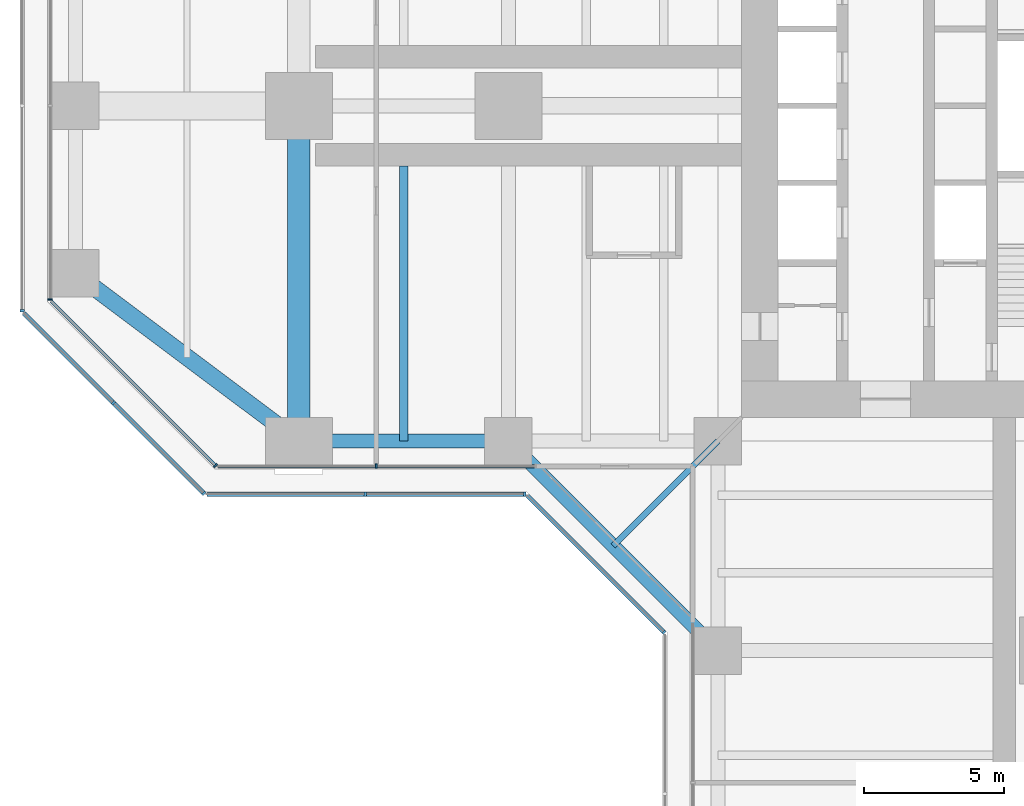
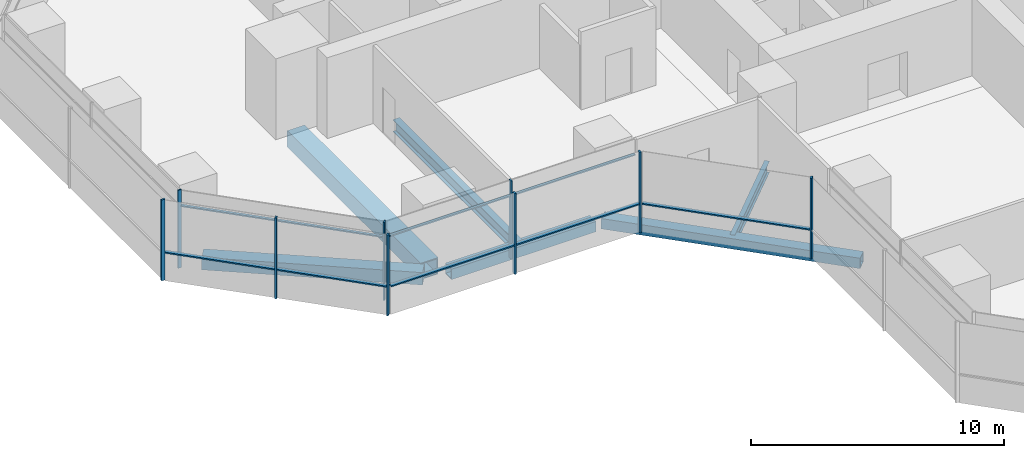
# One storey, part 3 of 22: 17 members, 6 beams, 7 elements without a shape of their own.
"""IFC4 building model written with IfcOpenShell, lengths in metres."""

from ifc_helpers import new_model, si_unit, direction, frame, origin, origin_2d, place, context, subcontext, project, spatial, rectangle, hollow_rectangle, i_section, extrude, material, material_profile, profile_set, type_object, element, aggregate, save


model = new_model("IFC4")

# Units and contexts
model_context = context("Model", 3, precision=1e-05, world=origin(), true_north=direction((0.0, 1.0)))
body_context = subcontext(model_context, "Body", "Model", "MODEL_VIEW")
ifc_project = project(units=[si_unit("LENGTHUNIT", "METRE"), si_unit("AREAUNIT", "SQUARE_METRE"), si_unit("VOLUMEUNIT", "CUBIC_METRE"), si_unit("PLANEANGLEUNIT", "RADIAN"), si_unit("MASSUNIT", "GRAM", prefix="KILO")], contexts=[model_context])

# Site, building, storey
site_placement = place(None, origin())
site = spatial("IfcSite", under=ifc_project, at=site_placement, CompositionType="ELEMENT")
building_placement = place(site_placement, origin())
building = spatial("IfcBuilding", under=site, at=building_placement, Name="Mizan Broadcast Tower", CompositionType="ELEMENT")
storey_placement = place(building_placement, frame((0.0, 0.0, 109.800048828125)))
storey = spatial("IfcBuildingStorey", under=building, at=storey_placement, Name="L24", CompositionType="ELEMENT", Elevation=109.800048828125)

# Beams
ifc_material_1 = material(Name="Steel S355", Category="steel")
ifc_material_profile_1 = material_profile(ifc_material_1, hollow_rectangle(XDim=0.5, YDim=0.5, WallThickness=0.030029296875, at=origin_2d()), Name="BOX 500x500x30")
ifc_profile_set_1 = profile_set([ifc_material_profile_1], Name="Steel S355")
beam_type_1 = type_object("IfcBeamType", Name="EDGE BEAM BOX 500x500x30", PredefinedType="SPANDREL", material=ifc_profile_set_1)
beam_1_placement = place(storey_placement, frame((-19.949951171875, -12.0, -0.380126953125), z_axis=(-1.0, 0.0, 0.0), x_axis=(0.0, -1.0, 0.0)))
element("IfcBeam", 1, at=beam_1_placement, inside=storey, type_object=beam_type_1, Name="Edge beam BOX 500x500x30 L24 west arm", PredefinedType="SPANDREL", context=body_context, shape_type="SweptSolid", body=[
    extrude(hollow_rectangle(XDim=0.5, YDim=0.5, WallThickness=0.030029296875, at=origin_2d()), origin(), (0.0, 0.0, 1.0), 6.60009765625),
])
beam_2_placement = place(storey_placement, frame((-19.5, -12.0, -0.380126953125), z_axis=(0.707106781187, -0.707106781187, 0.0), x_axis=(0.707106781187, 0.707106781187, 0.0)))
element("IfcBeam", 2, at=beam_2_placement, inside=storey, type_object=beam_type_1, Name="Winter garden edge beam L24 W", PredefinedType="SPANDREL", context=body_context, shape_type="SweptSolid", body=[
    extrude(hollow_rectangle(XDim=0.5, YDim=0.5, WallThickness=0.030029296875, at=origin_2d()), origin(), (0.0, 0.0, 1.0), 10.606689453125),
])
ifc_material_2 = material(Name="Steel S355", Category="steel")
ifc_material_profile_2 = material_profile(ifc_material_2, hollow_rectangle(XDim=0.60009765625, YDim=0.60009765625, WallThickness=0.030029296875, at=origin_2d()), Name="BOX 600x600x30")
ifc_profile_set_2 = profile_set([ifc_material_profile_2], Name="Steel S355")
beam_type_2 = type_object("IfcBeamType", Name="EDGE BEAM BOX 600x600x30", PredefinedType="SPANDREL", material=ifc_profile_set_2)
beam_3_placement = place(storey_placement, frame((-27.47998046875, -11.639892578125, -0.429931640625), z_axis=(-0.800013316712, 0.599982243973, 0.0), x_axis=(-0.599982243973, -0.800013316712, 0.0)))
element("IfcBeam", 3, at=beam_3_placement, inside=storey, type_object=beam_type_2, Name="Edge beam BOX 600x600x30 L24 west arm", PredefinedType="SPANDREL", context=body_context, shape_type="SweptSolid", body=[
    extrude(hollow_rectangle(XDim=0.60009765625, YDim=0.60009765625, WallThickness=0.030029296875, at=origin_2d()), origin(), (0.0, 0.0, 1.0), 8.7998046875),
])
ifc_material_3 = material(Name="Steel S460", Category="steel")
ifc_material_profile_3 = material_profile(ifc_material_3, hollow_rectangle(XDim=0.800048828125, YDim=0.800048828125, WallThickness=0.050048828125, at=origin_2d()), Name="BOX 800x800x50")
ifc_profile_set_3 = profile_set([ifc_material_profile_3], Name="Steel S460")
beam_type_3 = type_object("IfcBeamType", Name="GIRDER BOX 800x800x50", PredefinedType="BEAM", material=ifc_profile_set_3)
beam_4_placement = place(storey_placement, frame((-27.0, -11.280029296875, -0.530029296875), z_axis=(0.0, 1.0, 0.0), x_axis=(-1.0, 0.0, 0.0)))
element("IfcBeam", 4, at=beam_4_placement, inside=storey, type_object=beam_type_3, Name="Girder BOX 800x800x50 L24 west arm", PredefinedType="BEAM", context=body_context, shape_type="SweptSolid", body=[
    extrude(hollow_rectangle(XDim=0.800048828125, YDim=0.800048828125, WallThickness=0.050048828125, at=origin_2d()), origin(), (0.0, 0.0, 1.0), 10.56005859375),
])

# Curtain wall, member
ifc_material_4 = material(Name="Aluminium framed glazing", Category="aluminium")
curtain_wall_type_1 = type_object("IfcCurtainWallType", Name="INNER SKIN LOW ZONE", PredefinedType="USERDEFINED", material=ifc_material_4)
curtain_wall_1_placement = place(storey_placement, origin())
curtain_wall_1 = element("IfcCurtainWall", 5, at=curtain_wall_1_placement, inside=storey, type_object=curtain_wall_type_1, Name="Inner skin low zone L24 W end", ObjectType="INNER SKIN LOW ZONE", PredefinedType="USERDEFINED")
ifc_material_5 = material(Name="Aluminium, pale anodised", Category="aluminium")
ifc_material_profile_4 = material_profile(ifc_material_5, rectangle(XDim=0.159912109375, YDim=0.06005859375, at=origin_2d()), Name="MULLION 160x60")
ifc_profile_set_4 = profile_set([ifc_material_profile_4], Name="Aluminium, pale anodised")
member_type_1 = type_object("IfcMemberType", Name="INNER SKIN MULLION 60x160", PredefinedType="MULLION", material=ifc_profile_set_4)
member_1_placement = place(storey_placement, frame((-35.89990234375, -6.928466796875, 0.0), z_axis=(0.0, 0.0, 1.0), x_axis=(1.0, 0.0, 0.0)))
member_1 = element("IfcMember", 6, at=member_1_placement, type_object=member_type_1, Name="Inner skin low zone L24 W end mullion 3", PredefinedType="MULLION", context=body_context, shape_type="SweptSolid", body=[
    extrude(rectangle(XDim=0.159912109375, YDim=0.06005859375, at=origin_2d()), origin(), (0.0, 0.0, 1.0), 3.77001953125),
])
aggregate(curtain_wall_1, [member_1])

curtain_wall_2_placement = place(storey_placement, origin())
curtain_wall_2 = element("IfcCurtainWall", 7, at=curtain_wall_2_placement, inside=storey, type_object=curtain_wall_type_1, Name="Inner skin low zone L24 W chamfer", ObjectType="INNER SKIN LOW ZONE", PredefinedType="USERDEFINED")
member_2_placement = place(storey_placement, frame((-29.979736328125, -12.87890625, 0.0), z_axis=(0.0, 0.0, 1.0), x_axis=(0.707106781187, 0.707106781187, 0.0)))
member_2 = element("IfcMember", 8, at=member_2_placement, type_object=member_type_1, Name="Inner skin low zone L24 W chamfer mullion 2", PredefinedType="MULLION", context=body_context, shape_type="SweptSolid", body=[
    extrude(rectangle(XDim=0.159912109375, YDim=0.06005859375, at=origin_2d()), origin(), (0.0, 0.0, 1.0), 3.77001953125),
])

curtain_wall_3_placement = place(storey_placement, origin())
curtain_wall_3 = element("IfcCurtainWall", 9, at=curtain_wall_3_placement, inside=storey, type_object=curtain_wall_type_1, Name="Inner skin low zone L24 W side", ObjectType="INNER SKIN LOW ZONE", PredefinedType="USERDEFINED")
member_3_placement = place(storey_placement, frame((-24.229248046875, -12.89990234375, 0.0), z_axis=(0.0, 0.0, 1.0), x_axis=(0.0, 1.0, 0.0)))
member_3 = element("IfcMember", 10, at=member_3_placement, type_object=member_type_1, Name="Inner skin low zone L24 W side mullion 2", PredefinedType="MULLION", context=body_context, shape_type="SweptSolid", body=[
    extrude(rectangle(XDim=0.159912109375, YDim=0.06005859375, at=origin_2d()), origin(), (0.0, 0.0, 1.0), 3.77001953125),
])

# Member
ifc_material_6 = material(Name="Aluminium, pale anodised", Category="aluminium")
ifc_material_profile_5 = material_profile(ifc_material_6, rectangle(XDim=0.1201171875, YDim=0.06005859375, at=origin_2d()), Name="TRANSOM 120x60")
ifc_profile_set_5 = profile_set([ifc_material_profile_5], Name="Aluminium, pale anodised")
member_type_2 = type_object("IfcMemberType", Name="INNER SKIN TRANSOM 60x120", PredefinedType="USERDEFINED", material=ifc_profile_set_5)
member_4_placement = place(storey_placement, frame((-35.857666015625, -7.0009765625, 3.030029296875), z_axis=(0.707106781187, -0.707106781187, 0.0), x_axis=(0.707106781187, 0.707106781187, 0.0)))
member_4 = element("IfcMember", 11, at=member_4_placement, type_object=member_type_2, Name="Inner skin low zone L24 W chamfer transom 1.1", ObjectType="TRANSOM", PredefinedType="USERDEFINED", context=body_context, shape_type="SweptSolid", body=[
    extrude(rectangle(XDim=0.1201171875, YDim=0.06005859375, at=origin_2d()), origin(), (0.0, 0.0, 1.0), 8.28271484375),
])

aggregate(curtain_wall_2, [member_2, member_4])

member_5_placement = place(storey_placement, frame((-29.898681640625, -12.89990234375, 3.030029296875), z_axis=(1.0, 0.0, 0.0), x_axis=(0.0, 1.0, 0.0)))
member_5 = element("IfcMember", 12, at=member_5_placement, type_object=member_type_2, Name="Inner skin low zone L24 W side transom 1.1", ObjectType="TRANSOM", PredefinedType="USERDEFINED", context=body_context, shape_type="SweptSolid", body=[
    extrude(rectangle(XDim=0.1201171875, YDim=0.06005859375, at=origin_2d()), origin(), (0.0, 0.0, 1.0), 5.639404296875),
])

member_6_placement = place(storey_placement, frame((-24.19921875, -12.89990234375, 3.030029296875), z_axis=(1.0, 0.0, 0.0), x_axis=(0.0, 1.0, 0.0)))
member_6 = element("IfcMember", 13, at=member_6_placement, type_object=member_type_2, Name="Inner skin low zone L24 W side transom 2.1", ObjectType="TRANSOM", PredefinedType="USERDEFINED", context=body_context, shape_type="SweptSolid", body=[
    extrude(rectangle(XDim=0.1201171875, YDim=0.06005859375, at=origin_2d()), origin(), (0.0, 0.0, 1.0), 5.63916015625),
])

aggregate(curtain_wall_3, [member_3, member_5, member_6])

# Curtain wall, member
ifc_material_7 = material(Name="Aluminium framed glazing", Category="aluminium")
curtain_wall_type_2 = type_object("IfcCurtainWallType", Name="OUTER SKIN", PredefinedType="USERDEFINED", material=ifc_material_7)
curtain_wall_4_placement = place(storey_placement, origin())
curtain_wall_4 = element("IfcCurtainWall", 14, at=curtain_wall_4_placement, inside=storey, type_object=curtain_wall_type_2, Name="Outer skin L24 W end", ObjectType="OUTER SKIN", PredefinedType="USERDEFINED")
ifc_material_8 = material(Name="Aluminium, pale anodised", Category="aluminium")
ifc_material_profile_6 = material_profile(ifc_material_8, rectangle(XDim=0.159912109375, YDim=0.080078125, at=origin_2d()), Name="MULLION 160x80")
ifc_profile_set_6 = profile_set([ifc_material_profile_6], Name="Aluminium, pale anodised")
member_type_3 = type_object("IfcMemberType", Name="OUTER SKIN MULLION 80x160", PredefinedType="MULLION", material=ifc_profile_set_6)
member_7_placement = place(storey_placement, frame((-36.89990234375, -7.332763671875, 0.0), z_axis=(0.0, 0.0, 1.0), x_axis=(1.0, 0.0, 0.0)))
member_7 = element("IfcMember", 15, at=member_7_placement, type_object=member_type_3, Name="Outer skin L24 W end mullion 3", PredefinedType="MULLION", context=body_context, shape_type="SweptSolid", body=[
    extrude(rectangle(XDim=0.159912109375, YDim=0.080078125, at=origin_2d()), origin(), (0.0, 0.0, 1.0), 3.89990234375),
])
aggregate(curtain_wall_4, [member_7])

# Curtain wall, members
curtain_wall_5_placement = place(storey_placement, origin())
curtain_wall_5 = element("IfcCurtainWall", 16, at=curtain_wall_5_placement, inside=storey, type_object=curtain_wall_type_2, Name="Outer skin L24 W chamfer", ObjectType="OUTER SKIN", PredefinedType="USERDEFINED")
member_8_placement = place(storey_placement, frame((-33.636474609375, -10.636474609375, 0.0), z_axis=(0.0, 0.0, 1.0), x_axis=(0.707106781187, 0.707106781187, 0.0)))
member_8 = element("IfcMember", 17, at=member_8_placement, type_object=member_type_3, Name="Outer skin L24 W chamfer mullion 2", PredefinedType="MULLION", context=body_context, shape_type="SweptSolid", body=[
    extrude(rectangle(XDim=0.159912109375, YDim=0.080078125, at=origin_2d()), origin(), (0.0, 0.0, 1.0), 3.89990234375),
])
member_9_placement = place(storey_placement, frame((-30.401123046875, -13.871826171875, 0.0), z_axis=(0.0, 0.0, 1.0), x_axis=(0.707106781187, 0.707106781187, 0.0)))
member_9 = element("IfcMember", 18, at=member_9_placement, type_object=member_type_3, Name="Outer skin L24 W chamfer mullion 3", PredefinedType="MULLION", context=body_context, shape_type="SweptSolid", body=[
    extrude(rectangle(XDim=0.159912109375, YDim=0.080078125, at=origin_2d()), origin(), (0.0, 0.0, 1.0), 3.89990234375),
])

curtain_wall_6_placement = place(storey_placement, origin())
curtain_wall_6 = element("IfcCurtainWall", 19, at=curtain_wall_6_placement, inside=storey, type_object=curtain_wall_type_2, Name="Outer skin L24 W side", ObjectType="OUTER SKIN", PredefinedType="USERDEFINED")
member_10_placement = place(storey_placement, frame((-24.622802734375, -13.89990234375, 0.0), z_axis=(0.0, 0.0, 1.0), x_axis=(0.0, 1.0, 0.0)))
member_10 = element("IfcMember", 20, at=member_10_placement, type_object=member_type_3, Name="Outer skin L24 W side mullion 2", PredefinedType="MULLION", context=body_context, shape_type="SweptSolid", body=[
    extrude(rectangle(XDim=0.159912109375, YDim=0.080078125, at=origin_2d()), origin(), (0.0, 0.0, 1.0), 3.89990234375),
])
member_11_placement = place(storey_placement, frame((-18.912841796875, -13.89990234375, 0.0), z_axis=(0.0, 0.0, 1.0), x_axis=(0.0, 1.0, 0.0)))
member_11 = element("IfcMember", 21, at=member_11_placement, type_object=member_type_3, Name="Outer skin L24 W side mullion 3", PredefinedType="MULLION", context=body_context, shape_type="SweptSolid", body=[
    extrude(rectangle(XDim=0.159912109375, YDim=0.080078125, at=origin_2d()), origin(), (0.0, 0.0, 1.0), 3.89990234375),
])

# Curtain wall, member
curtain_wall_7_placement = place(storey_placement, origin())
curtain_wall_7 = element("IfcCurtainWall", 22, at=curtain_wall_7_placement, inside=storey, type_object=curtain_wall_type_2, Name="Outer skin L24 W chamfer", ObjectType="OUTER SKIN", PredefinedType="USERDEFINED")
member_12_placement = place(storey_placement, frame((-13.92822265625, -18.844482421875, 0.0), z_axis=(0.0, 0.0, 1.0), x_axis=(0.707106781187, 0.707106781187, 0.0)))
member_12 = element("IfcMember", 23, at=member_12_placement, type_object=member_type_3, Name="Outer skin L24 W chamfer mullion 2", PredefinedType="MULLION", context=body_context, shape_type="SweptSolid", body=[
    extrude(rectangle(XDim=0.159912109375, YDim=0.080078125, at=origin_2d()), origin(), (0.0, 0.0, 1.0), 3.89990234375),
])

# Member
ifc_material_9 = material(Name="Aluminium, pale anodised", Category="aluminium")
ifc_material_profile_7 = material_profile(ifc_material_9, rectangle(XDim=0.159912109375, YDim=0.06005859375, at=origin_2d()), Name="TRANSOM 160x60")
ifc_profile_set_7 = profile_set([ifc_material_profile_7], Name="Aluminium, pale anodised")
member_type_4 = type_object("IfcMemberType", Name="OUTER SKIN TRANSOM 60x160", PredefinedType="USERDEFINED", material=ifc_profile_set_7)
member_13_placement = place(storey_placement, frame((-36.843505859375, -7.429443359375, 1.39990234375), z_axis=(0.707106781187, -0.707106781187, 0.0), x_axis=(0.707106781187, 0.707106781187, 0.0)))
member_13 = element("IfcMember", 24, at=member_13_placement, type_object=member_type_4, Name="Outer skin L24 W chamfer transom 1.1", ObjectType="TRANSOM", PredefinedType="USERDEFINED", context=body_context, shape_type="SweptSolid", body=[
    extrude(rectangle(XDim=0.159912109375, YDim=0.06005859375, at=origin_2d()), origin(), (0.0, 0.0, 1.0), 4.495361328125),
])

member_14_placement = place(storey_placement, frame((-33.608154296875, -10.664794921875, 1.39990234375), z_axis=(0.707106781187, -0.707106781187, 0.0), x_axis=(0.707106781187, 0.707106781187, 0.0)))
member_14 = element("IfcMember", 25, at=member_14_placement, type_object=member_type_4, Name="Outer skin L24 W chamfer transom 2.1", ObjectType="TRANSOM", PredefinedType="USERDEFINED", context=body_context, shape_type="SweptSolid", body=[
    extrude(rectangle(XDim=0.159912109375, YDim=0.06005859375, at=origin_2d()), origin(), (0.0, 0.0, 1.0), 4.495361328125),
])

aggregate(curtain_wall_5, [member_8, member_9, member_13, member_14])

member_15_placement = place(storey_placement, frame((-30.292724609375, -13.89990234375, 1.39990234375), z_axis=(1.0, 0.0, 0.0), x_axis=(0.0, 1.0, 0.0)))
member_15 = element("IfcMember", 26, at=member_15_placement, type_object=member_type_4, Name="Outer skin L24 W side transom 1.1", ObjectType="TRANSOM", PredefinedType="USERDEFINED", context=body_context, shape_type="SweptSolid", body=[
    extrude(rectangle(XDim=0.159912109375, YDim=0.06005859375, at=origin_2d()), origin(), (0.0, 0.0, 1.0), 5.6298828125),
])

member_16_placement = place(storey_placement, frame((-24.582763671875, -13.89990234375, 1.39990234375), z_axis=(1.0, 0.0, 0.0), x_axis=(0.0, 1.0, 0.0)))
member_16 = element("IfcMember", 27, at=member_16_placement, type_object=member_type_4, Name="Outer skin L24 W side transom 2.1", ObjectType="TRANSOM", PredefinedType="USERDEFINED", context=body_context, shape_type="SweptSolid", body=[
    extrude(rectangle(XDim=0.159912109375, YDim=0.06005859375, at=origin_2d()), origin(), (0.0, 0.0, 1.0), 5.6298828125),
])

aggregate(curtain_wall_6, [member_10, member_11, member_15, member_16])

member_17_placement = place(storey_placement, frame((-18.816162109375, -13.95654296875, 1.39990234375), z_axis=(0.707106781187, -0.707106781187, 0.0), x_axis=(0.707106781187, 0.707106781187, 0.0)))
member_17 = element("IfcMember", 28, at=member_17_placement, type_object=member_type_4, Name="Outer skin L24 W chamfer transom 1.1", ObjectType="TRANSOM", PredefinedType="USERDEFINED", context=body_context, shape_type="SweptSolid", body=[
    extrude(rectangle(XDim=0.159912109375, YDim=0.06005859375, at=origin_2d()), origin(), (0.0, 0.0, 1.0), 6.87255859375),
])

aggregate(curtain_wall_7, [member_12, member_17])

# Beams
ifc_material_10 = material(Name="Steel S355", Category="steel")
ifc_material_profile_8 = material_profile(ifc_material_10, i_section(OverallWidth=0.300048828125, OverallDepth=0.590087890625, WebThickness=0.012939453125, FlangeThickness=0.02490234375, FilletRadius=0.027099609375, at=origin_2d()), Name="HEA 600")
ifc_profile_set_8 = profile_set([ifc_material_profile_8], Name="Steel S355")
beam_type_4 = type_object("IfcBeamType", Name="SECONDARY BEAM HEA 600", PredefinedType="JOIST", material=ifc_profile_set_8)
beam_5_placement = place(storey_placement, frame((-23.25, -12.0, -0.425048828125), z_axis=(0.0, 1.0, 0.0), x_axis=(-1.0, 0.0, 0.0)))
element("IfcBeam", 29, at=beam_5_placement, inside=storey, type_object=beam_type_4, Name="Secondary beam HEA 600 L24 west arm", PredefinedType="JOIST", context=body_context, shape_type="SweptSolid", body=[
    extrude(i_section(OverallWidth=0.300048828125, OverallDepth=0.590087890625, WebThickness=0.012939453125, FlangeThickness=0.02490234375, FilletRadius=0.027099609375, at=origin_2d()), origin(), (0.0, 0.0, 1.0), 9.85009765625),
])
ifc_material_11 = material(Name="Steel S355", Category="steel")
ifc_material_profile_9 = material_profile(ifc_material_11, i_section(OverallWidth=0.2099609375, OverallDepth=0.550048828125, WebThickness=0.010986328125, FlangeThickness=0.01708984375, FilletRadius=0.02392578125, at=origin_2d()), Name="IPE 550")
ifc_profile_set_9 = profile_set([ifc_material_profile_9], Name="Steel S355")
beam_type_5 = type_object("IfcBeamType", Name="SECONDARY BEAM IPE 550", PredefinedType="JOIST", material=ifc_profile_set_9)
beam_6_placement = place(storey_placement, frame((-12.0, -12.0, -0.405029296875), z_axis=(-0.707106781187, -0.707106781187, 0.0), x_axis=(0.707106781187, -0.707106781187, 0.0)))
element("IfcBeam", 30, at=beam_6_placement, inside=storey, type_object=beam_type_5, Name="Winter garden beam L24 W", PredefinedType="JOIST", context=body_context, shape_type="SweptSolid", body=[
    extrude(i_section(OverallWidth=0.2099609375, OverallDepth=0.550048828125, WebThickness=0.010986328125, FlangeThickness=0.01708984375, FilletRadius=0.02392578125, at=origin_2d()), origin(), (0.0, 0.0, 1.0), 5.30322265625),
])

save(model, "model.ifc")
